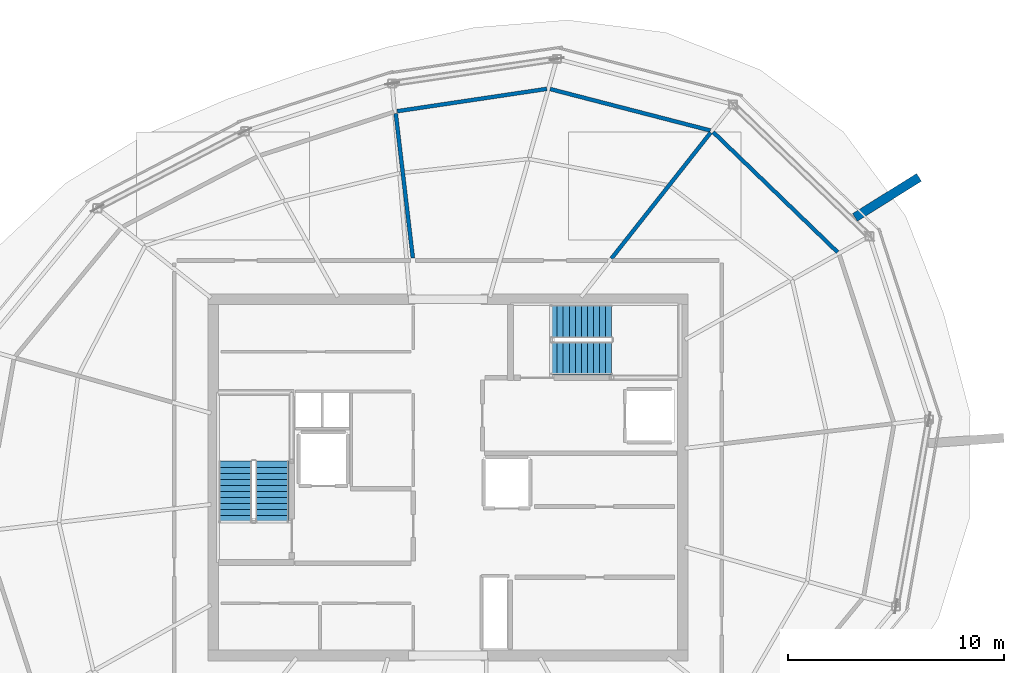
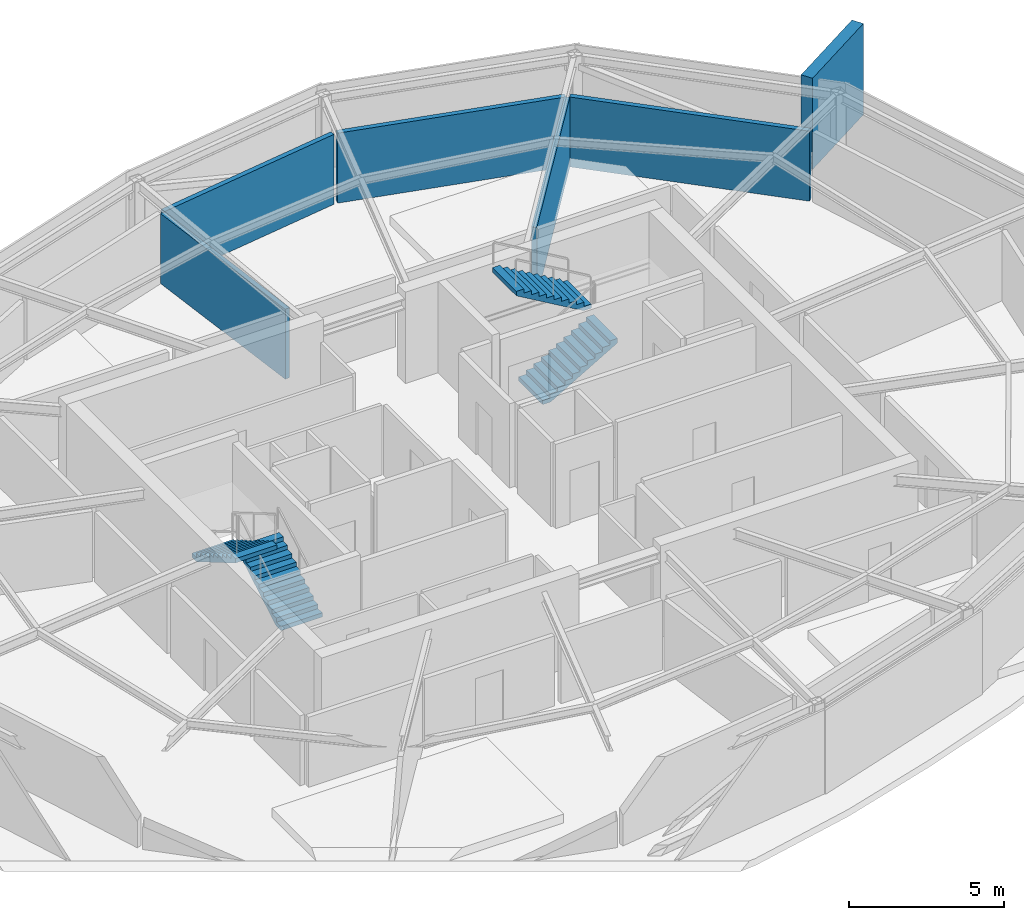
# One storey, part 9 of 10: 6 walls, 4 stair flights, 2 elements without a shape of their own.
"""IFC4 building model written with IfcOpenShell, lengths in metres."""

from ifc_helpers import new_model, si_unit, direction, frame, frame_2d, origin, place, context, subcontext, project, spatial, polyline, rectangle, outline, extrude, material, layer, layer_set, type_object, element, aggregate, save


model = new_model("IFC4")

# Units and contexts
model_context = context("Model", 3, precision=1e-05, world=origin(), true_north=direction((0.0, 1.0)))
body_context = subcontext(model_context, "Body", "Model", "MODEL_VIEW")
ifc_project = project(units=[si_unit("LENGTHUNIT", "METRE"), si_unit("AREAUNIT", "SQUARE_METRE"), si_unit("VOLUMEUNIT", "CUBIC_METRE"), si_unit("PLANEANGLEUNIT", "RADIAN"), si_unit("MASSUNIT", "GRAM", prefix="KILO")], contexts=[model_context])

# Site, building, storey
site_placement = place(None, origin())
site = spatial("IfcSite", under=ifc_project, at=site_placement, CompositionType="ELEMENT")
building_placement = place(site_placement, origin())
building = spatial("IfcBuilding", under=site, at=building_placement, Name="Kazma Halo Residences", CompositionType="ELEMENT")
storey_placement = place(building_placement, frame((0.0, 0.0, 363.199951171875)))
storey = spatial("IfcBuildingStorey", under=building, at=storey_placement, Name="L91", CompositionType="ELEMENT", Elevation=363.199951171875)

# Walls
ifc_material_1 = material(Name="Pale Concrete C60/75", Category="concrete")
ifc_layer_1 = layer(ifc_material_1, 0.419921875)
ifc_layer_set_1 = layer_set([ifc_layer_1], Name="Pale Concrete C60/75")
wall_type_1 = type_object("IfcWallType", Name="WL-BLADE-420", PredefinedType="SOLIDWALL", material=ifc_layer_set_1)
wall_1_placement = place(storey_placement, frame((67.268798828125, 54.04052734375, 0.0), z_axis=(0.0, 0.0, 1.0), x_axis=(0.848033572426, 0.529942506352, 0.0)))
element("IfcWall", 1, at=wall_1_placement, inside=storey, type_object=wall_type_1, Name="L91 pale concrete structural blade fin wall BW-01", PredefinedType="SOLIDWALL", context=body_context, shape_type="SweptSolid", body=[
    extrude(rectangle(XDim=3.5, YDim=0.419921875, at=frame_2d((1.75, 0.0))), origin(), (0.0, 0.0, 1.0), 3.60009765625),
])
ifc_material_2 = material(Name="Acoustic Twin-Stud Gypsum")
ifc_layer_2 = layer(ifc_material_2, 0.179931640625)
ifc_layer_set_2 = layer_set([ifc_layer_2], Name="Acoustic Twin-Stud Gypsum")
wall_type_2 = type_object("IfcWallType", Name="WL-DEM-180", PredefinedType="PARTITIONING", material=ifc_layer_set_2)
wall_2_placement = place(storey_placement, frame((66.466796875, 52.4296875, 0.0), z_axis=(0.0, 0.0, 1.0), x_axis=(-0.719364153135, 0.694633151516, 0.0)))
element("IfcWall", 2, at=wall_2_placement, inside=storey, type_object=wall_type_2, Name="L91 crown plant perimeter wall 00", PredefinedType="PARTITIONING", context=body_context, shape_type="SweptSolid", body=[
    extrude(rectangle(XDim=8.006103515625, YDim=0.179931640625, at=frame_2d((4.0029296875, 0.0))), origin(), (0.0, 0.0, 1.0), 2.760009765625),
])
wall_3_placement = place(storey_placement, frame((60.57275390625, 58.06640625, 0.0), z_axis=(0.0, 0.0, 1.0), x_axis=(-0.968117205342, 0.250497658115, 0.0)))
element("IfcWall", 3, at=wall_3_placement, inside=storey, type_object=wall_type_2, Name="L91 crown plant perimeter wall 01", PredefinedType="PARTITIONING", context=body_context, shape_type="SweptSolid", body=[
    extrude(rectangle(XDim=7.66162109375, YDim=0.179931640625, at=frame_2d((3.830810546875, 0.0))), origin(), (0.0, 0.0, 1.0), 2.760009765625),
])
wall_4_placement = place(storey_placement, frame((52.9990234375, 59.99365234375, 0.0), z_axis=(0.0, 0.0, 1.0), x_axis=(-0.989034336252, -0.147685753256, 0.0)))
element("IfcWall", 4, at=wall_4_placement, inside=storey, type_object=wall_type_2, Name="L91 crown plant perimeter wall 02", PredefinedType="PARTITIONING", context=body_context, shape_type="SweptSolid", body=[
    extrude(rectangle(XDim=7.002685546875, YDim=0.179931640625, at=frame_2d((3.50146484375, 0.0))), origin(), (0.0, 0.0, 1.0), 2.760009765625),
])
wall_5_placement = place(storey_placement, frame((55.990966796875, 52.136474609375, 0.0), z_axis=(0.0, 0.0, 1.0), x_axis=(0.619089811342, 0.785320192974, 0.0)))
element("IfcWall", 5, at=wall_5_placement, inside=storey, type_object=wall_type_2, Name="L91 radial partition wall 01", PredefinedType="PARTITIONING", context=body_context, shape_type="SweptSolid", body=[
    extrude(rectangle(XDim=7.42578125, YDim=0.179931640625, at=frame_2d((3.712890625, 0.0))), origin(), (0.0, 0.0, 1.0), 2.760009765625),
])
wall_6_placement = place(storey_placement, frame((46.797607421875, 52.1591796875, 0.0), z_axis=(0.0, 0.0, 1.0), x_axis=(-0.117541495417, 0.993067971921, 0.0)))
element("IfcWall", 6, at=wall_6_placement, inside=storey, type_object=wall_type_2, Name="L91 radial partition wall 03", PredefinedType="PARTITIONING", context=body_context, shape_type="SweptSolid", body=[
    extrude(rectangle(XDim=6.73583984375, YDim=0.179931640625, at=frame_2d((3.367919921875, 0.0))), origin(), (0.0, 0.0, 1.0), 2.760009765625),
])

# Stair, stair flights
ifc_material_3 = material(Name="Concrete C50/60", Category="concrete")
stair_type = type_object("IfcStairType", Name="STR-CRWN", PredefinedType="HALF_TURN_STAIR", material=ifc_material_3)
stair_1_placement = place(storey_placement, origin())
stair_1 = element("IfcStair", 7, at=stair_1_placement, inside=storey, type_object=stair_type, Name="L91 Core exit stair ST-01", PredefinedType="HALF_TURN_STAIR")
stair_flight_type = type_object("IfcStairFlightType", Name="STR-CRWN-FLT", PredefinedType="STRAIGHT", material=ifc_material_3)
stair_flight_1_placement = place(storey_placement, frame((40.27490234375, 39.949951171875, 0.0), z_axis=(0.0, 0.0, 1.0), x_axis=(0.0, 1.0, 0.0)))
stair_flight_1 = element("IfcStairFlight", 8, at=stair_flight_1_placement, type_object=stair_flight_type, Name="ST-01 flight 1", NumberOfRisers=11, NumberOfTreads=10, PredefinedType="STRAIGHT", RiserHeight=0.163636364, TreadLength=0.28, context=body_context, shape_type="SweptSolid", body=[
    extrude(outline(polyline([(0.0, 0.0), (0.0, 0.16357421875), (0.280029296875, 0.16357421875), (0.280029296875, 0.327392578125), (0.56005859375, 0.327392578125), (0.56005859375, 0.490966796875), (0.840087890625, 0.490966796875), (0.840087890625, 0.654541015625), (1.1201171875, 0.654541015625), (1.1201171875, 0.818115234375), (1.39990234375, 0.818115234375), (1.39990234375, 0.98193359375), (1.679931640625, 0.98193359375), (1.679931640625, 1.1455078125), (1.9599609375, 1.1455078125), (1.9599609375, 1.30908203125), (2.239990234375, 1.30908203125), (2.239990234375, 1.47265625), (2.52001953125, 1.47265625), (2.52001953125, 1.636474609375), (2.800048828125, 1.636474609375), (2.800048828125, 1.800048828125), (2.800048828125, 1.462646484375), (0.297119140625, 0.0), (0.0, 0.0)])), frame((0.0, 0.77490234375, 0.0), z_axis=(0.0, -1.0, 0.0), x_axis=(1.0, 0.0, 0.0)), (0.0, 0.0, 1.0), 1.550048828125),
])
stair_flight_2_placement = place(storey_placement, frame((38.574951171875, 42.75, 1.800048828125), z_axis=(0.0, 0.0, 1.0), x_axis=(0.0, -1.0, 0.0)))
stair_flight_2 = element("IfcStairFlight", 9, at=stair_flight_2_placement, type_object=stair_flight_type, Name="ST-01 flight 2", NumberOfRisers=11, NumberOfTreads=10, PredefinedType="STRAIGHT", RiserHeight=0.163636364, TreadLength=0.28, context=body_context, shape_type="SweptSolid", body=[
    extrude(outline(polyline([(0.0, 0.0), (0.0, 0.16357421875), (0.280029296875, 0.16357421875), (0.280029296875, 0.327392578125), (0.56005859375, 0.327392578125), (0.56005859375, 0.490966796875), (0.840087890625, 0.490966796875), (0.840087890625, 0.654541015625), (1.1201171875, 0.654541015625), (1.1201171875, 0.818115234375), (1.39990234375, 0.818115234375), (1.39990234375, 0.98193359375), (1.679931640625, 0.98193359375), (1.679931640625, 1.1455078125), (1.9599609375, 1.1455078125), (1.9599609375, 1.30908203125), (2.239990234375, 1.30908203125), (2.239990234375, 1.47265625), (2.52001953125, 1.47265625), (2.52001953125, 1.636474609375), (2.800048828125, 1.636474609375), (2.800048828125, 1.800048828125), (2.800048828125, 1.462646484375), (0.297119140625, 0.0), (0.0, 0.0)])), frame((0.0, 0.77490234375, 0.0), z_axis=(0.0, -1.0, 0.0), x_axis=(1.0, 0.0, 0.0)), (0.0, 0.0, 1.0), 1.550048828125),
])
aggregate(stair_1, [stair_flight_1, stair_flight_2])

stair_2_placement = place(storey_placement, origin())
stair_2 = element("IfcStair", 10, at=stair_2_placement, inside=storey, type_object=stair_type, Name="L91 Core exit stair ST-02", PredefinedType="HALF_TURN_STAIR")
stair_flight_3_placement = place(storey_placement, frame((53.199951171875, 47.52490234375, 0.0), z_axis=(0.0, 0.0, 1.0), x_axis=(1.0, 0.0, 0.0)))
stair_flight_3 = element("IfcStairFlight", 11, at=stair_flight_3_placement, type_object=stair_flight_type, Name="ST-02 flight 1", NumberOfRisers=11, NumberOfTreads=10, PredefinedType="STRAIGHT", RiserHeight=0.163636364, TreadLength=0.28, context=body_context, shape_type="SweptSolid", body=[
    extrude(outline(polyline([(0.0, 0.0), (0.0, 0.16357421875), (0.280029296875, 0.16357421875), (0.280029296875, 0.327392578125), (0.56005859375, 0.327392578125), (0.56005859375, 0.490966796875), (0.840087890625, 0.490966796875), (0.840087890625, 0.654541015625), (1.1201171875, 0.654541015625), (1.1201171875, 0.818115234375), (1.39990234375, 0.818115234375), (1.39990234375, 0.98193359375), (1.679931640625, 0.98193359375), (1.679931640625, 1.1455078125), (1.9599609375, 1.1455078125), (1.9599609375, 1.30908203125), (2.239990234375, 1.30908203125), (2.239990234375, 1.47265625), (2.52001953125, 1.47265625), (2.52001953125, 1.636474609375), (2.800048828125, 1.636474609375), (2.800048828125, 1.800048828125), (2.800048828125, 1.462646484375), (0.297119140625, 0.0), (0.0, 0.0)])), frame((0.0, 0.77490234375, 0.0), z_axis=(0.0, -1.0, 0.0), x_axis=(1.0, 0.0, 0.0)), (0.0, 0.0, 1.0), 1.550048828125),
])
stair_flight_4_placement = place(storey_placement, frame((56.0, 49.22509765625, 1.800048828125), z_axis=(0.0, 0.0, 1.0), x_axis=(-1.0, 0.0, 0.0)))
stair_flight_4 = element("IfcStairFlight", 12, at=stair_flight_4_placement, type_object=stair_flight_type, Name="ST-02 flight 2", NumberOfRisers=11, NumberOfTreads=10, PredefinedType="STRAIGHT", RiserHeight=0.163636364, TreadLength=0.28, context=body_context, shape_type="SweptSolid", body=[
    extrude(outline(polyline([(0.0, 0.0), (0.0, 0.16357421875), (0.280029296875, 0.16357421875), (0.280029296875, 0.327392578125), (0.56005859375, 0.327392578125), (0.56005859375, 0.490966796875), (0.840087890625, 0.490966796875), (0.840087890625, 0.654541015625), (1.1201171875, 0.654541015625), (1.1201171875, 0.818115234375), (1.39990234375, 0.818115234375), (1.39990234375, 0.98193359375), (1.679931640625, 0.98193359375), (1.679931640625, 1.1455078125), (1.9599609375, 1.1455078125), (1.9599609375, 1.30908203125), (2.239990234375, 1.30908203125), (2.239990234375, 1.47265625), (2.52001953125, 1.47265625), (2.52001953125, 1.636474609375), (2.800048828125, 1.636474609375), (2.800048828125, 1.800048828125), (2.800048828125, 1.462646484375), (0.297119140625, 0.0), (0.0, 0.0)])), frame((0.0, 0.77490234375, 0.0), z_axis=(0.0, -1.0, 0.0), x_axis=(1.0, 0.0, 0.0)), (0.0, 0.0, 1.0), 1.550048828125),
])
aggregate(stair_2, [stair_flight_3, stair_flight_4])

save(model, "model.ifc")
